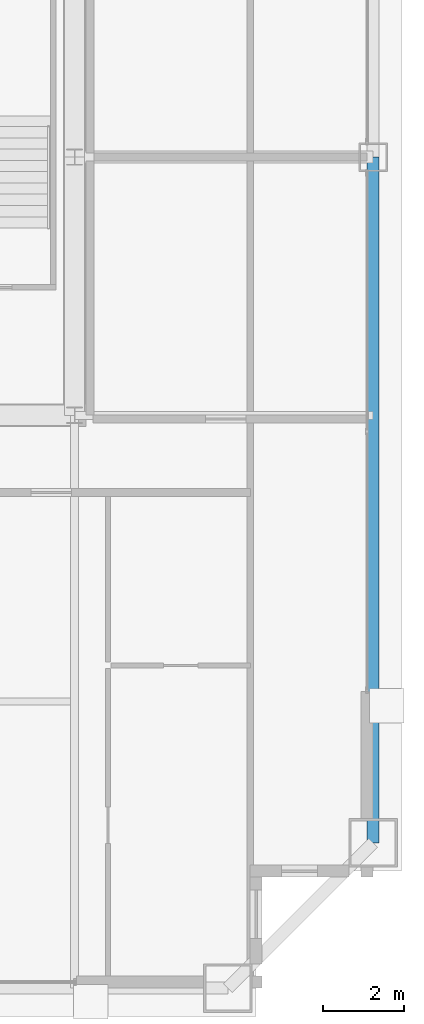
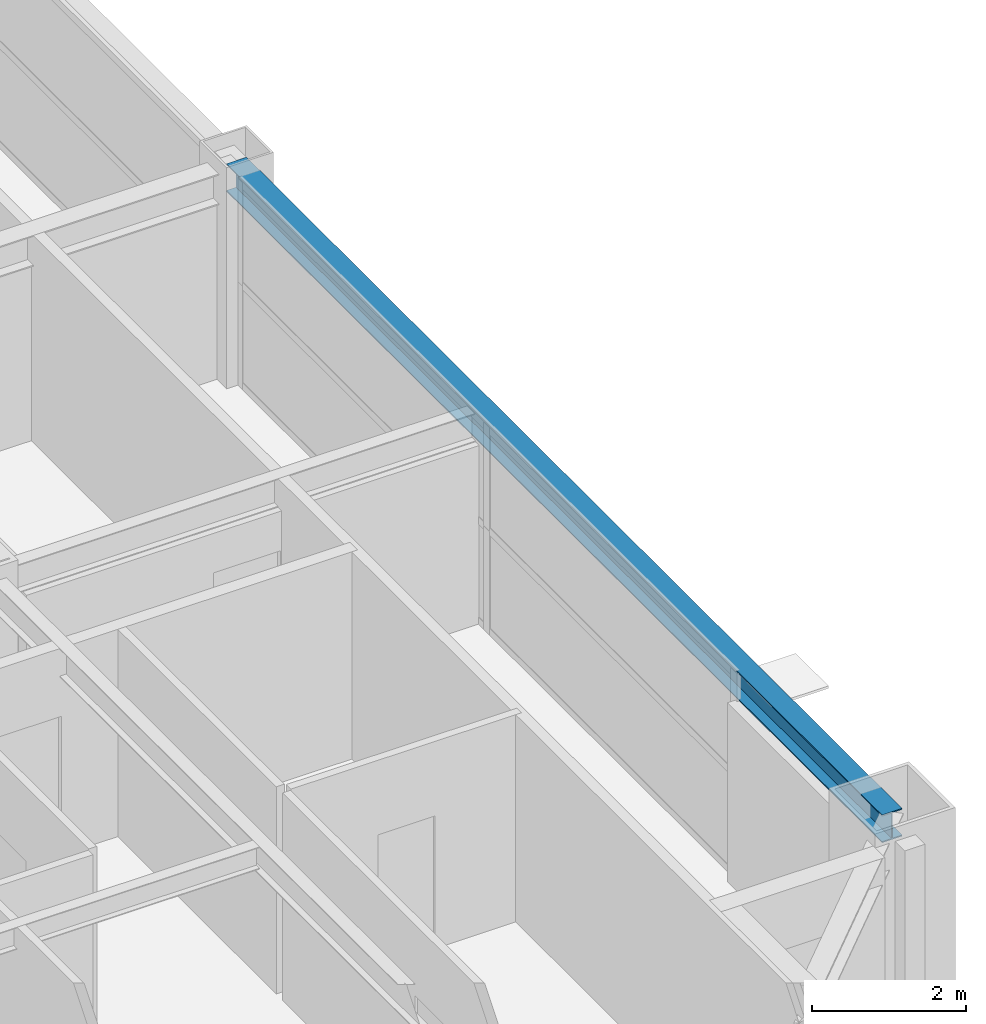
# One storey, part 18 of 37: 1 beam.
"""IFC4 building model written with IfcOpenShell, lengths in metres."""

from ifc_helpers import new_model, si_unit, direction, frame, origin, origin_2d, place, context, subcontext, project, spatial, i_section, extrude, source, transform, mapped, material, material_profile, profile_set, type_object, element, save


model = new_model("IFC4")

# Units and contexts
model_context = context("Model", 3, precision=1e-05, world=origin(), true_north=direction((0.0, 1.0)))
body_context = subcontext(model_context, "Body", "Model", "MODEL_VIEW")
ifc_project = project(units=[si_unit("LENGTHUNIT", "METRE"), si_unit("AREAUNIT", "SQUARE_METRE"), si_unit("VOLUMEUNIT", "CUBIC_METRE"), si_unit("PLANEANGLEUNIT", "RADIAN"), si_unit("MASSUNIT", "GRAM", prefix="KILO"), si_unit("THERMODYNAMICTEMPERATUREUNIT", "KELVIN"), si_unit("POWERUNIT", "WATT")], contexts=[model_context])

# Site, building, storey
site_placement = place(None, origin())
site = spatial("IfcSite", under=ifc_project, at=site_placement, CompositionType="ELEMENT")
building_placement = place(site_placement, origin())
building = spatial("IfcBuilding", under=site, at=building_placement, Name="Yuzanri Waterfront Tower", CompositionType="ELEMENT")
storey_placement = place(building_placement, frame((0.0, 0.0, 245.10009765625)))
storey = spatial("IfcBuildingStorey", under=building, at=storey_placement, Name="L65", CompositionType="ELEMENT", Elevation=245.10009765625)

# Beam
ifc_material = material(Name="Steel Q355B", Category="steel")
ifc_material_profile = material_profile(ifc_material, i_section(OverallWidth=0.300048828125, OverallDepth=0.43994140625, WebThickness=0.010986328125, FlangeThickness=0.01806640625, at=origin_2d()), Name="HM 440x300x11x18")
ifc_profile_set = profile_set([ifc_material_profile], Name="Steel Q355B")
beam_type = type_object("IfcBeamType", Name="Perimeter Spandrel Q355B HM 440x300", PredefinedType="SPANDREL", material=ifc_profile_set)
shared_shape = source(origin(), body_context, "Body", "SweptSolid", [
    extrude(i_section(OverallWidth=0.300048828125, OverallDepth=0.43994140625, WebThickness=0.010986328125, FlangeThickness=0.01806640625, at=origin_2d()), origin(), (0.0, 0.0, 1.0), 17.0),
])
beam_placement = place(storey_placement, frame((57.60009765625, 8.800048828125, 3.059814453125), z_axis=(0.0, 1.0, 0.0), x_axis=(-1.0, 0.0, 0.0)))
element("IfcBeam", 1, at=beam_placement, inside=storey, type_object=beam_type, Name="L65 Perimeter Spandrel E1-E2", PredefinedType="SPANDREL", context=body_context, shape_type="MappedRepresentation", body=[
    mapped(shared_shape, transform((0.0, 0.0, 0.0), scale=1.0)),
])

save(model, "model.ifc")
